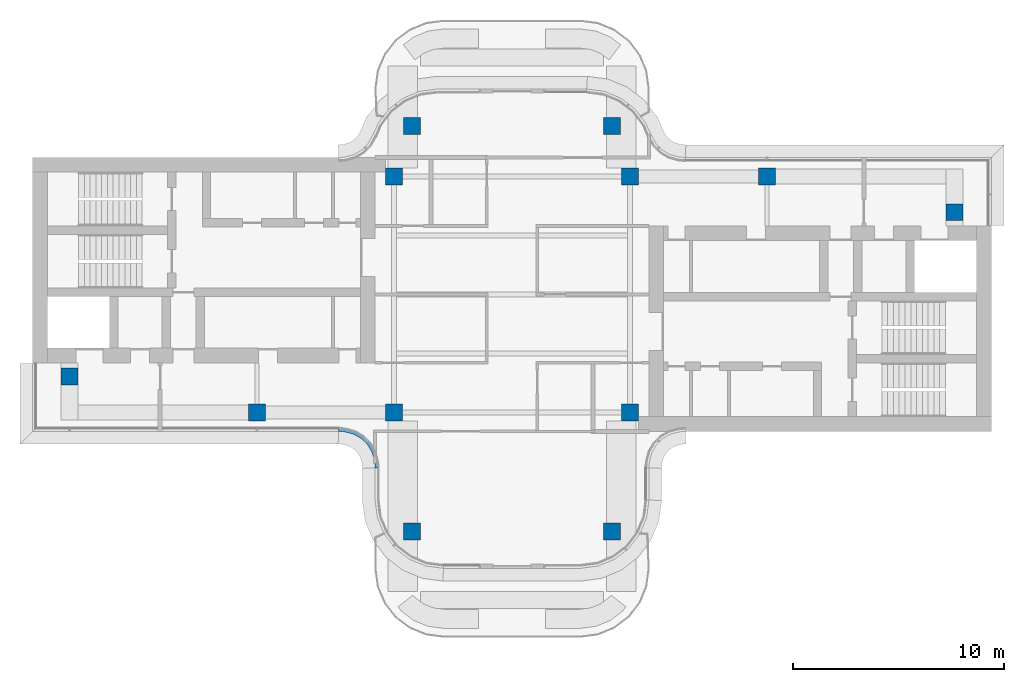
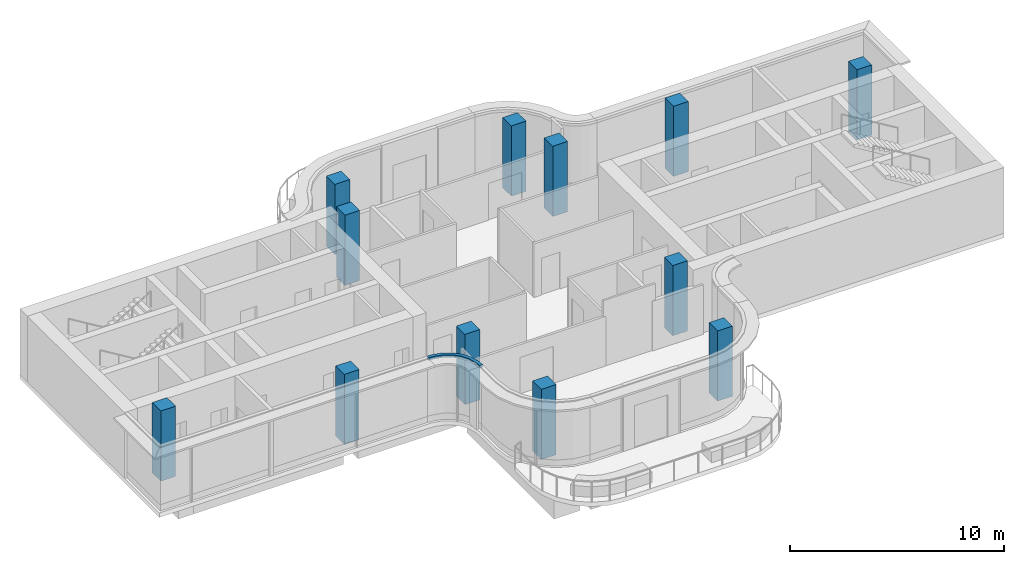
# One storey, part 1 of 9: 12 columns, 1 member, 1 element without a shape of its own.
"""IFC4 building model written with IfcOpenShell, lengths in metres."""

from ifc_helpers import new_model, si_unit, direction, frame, origin, origin_2d, place, context, subcontext, project, spatial, polyline, rectangle, outline, extrude, source, transform, mapped, material, layer, layer_set, material_profile, profile_set, type_object, element, aggregate, save


model = new_model("IFC4")

# Units and contexts
model_context = context("Model", 3, precision=1e-05, world=origin(), true_north=direction((0.0, 1.0)))
body_context = subcontext(model_context, "Body", "Model", "MODEL_VIEW")
ifc_project = project(units=[si_unit("LENGTHUNIT", "METRE"), si_unit("AREAUNIT", "SQUARE_METRE"), si_unit("VOLUMEUNIT", "CUBIC_METRE"), si_unit("PLANEANGLEUNIT", "RADIAN"), si_unit("MASSUNIT", "GRAM", prefix="KILO")], contexts=[model_context])

# Site, building, storey
site_placement = place(None, origin())
site = spatial("IfcSite", under=ifc_project, at=site_placement, CompositionType="ELEMENT")
building_placement = place(site_placement, origin())
building = spatial("IfcBuilding", under=site, at=building_placement, Name="Trellis Farm Tower", CompositionType="ELEMENT")
storey_placement = place(building_placement, frame((0.0, 0.0, 354.10009765625)))
storey = spatial("IfcBuildingStorey", under=building, at=storey_placement, Name="L80", CompositionType="ELEMENT", Elevation=354.10009765625)

# Columns
ifc_material_1 = material(Name="Concrete C50/60", Category="concrete")
ifc_material_profile = material_profile(ifc_material_1, rectangle(XDim=0.800048828125, YDim=0.800048828125, at=origin_2d()), Name="RC column 800x800 C50/60")
ifc_profile_set = profile_set([ifc_material_profile], Name="Concrete C50/60")
column_type = type_object("IfcColumnType", Name="RC column 800x800 C50/60", PredefinedType="COLUMN", material=ifc_profile_set)
shared_shape_1 = source(origin(), body_context, "Body", "SweptSolid", [
    extrude(rectangle(XDim=0.800048828125, YDim=0.800048828125, at=origin_2d()), origin(), (0.0, 0.0, 1.0), 4.0),
])
for number, where, z_axis, x_axis, name in (
    (1, (12.10009765625, 5.60009765625, 0.0), (0.0, 0.0, 1.0), (1.0, 0.0, 0.0), "Column"),
    (2, (21.0, 3.89990234375, 0.0), (0.0, 0.0, 1.0), (1.0, 0.0, 0.0), "Column"),
    (3, (-4.75, 8.0, 0.0), (0.0, 0.0, 1.0), (1.0, 0.0, 0.0), "Column"),
    (4, (4.75, 8.0, 0.0), (0.0, 0.0, 1.0), (1.0, 0.0, 0.0), "Column"),
    (5, (5.60009765625, 5.60009765625, 0.0), (0.0, 0.0, 1.0), (1.0, 0.0, 0.0), "Column"),
    (6, (-5.60009765625, 5.60009765625, 0.0), (0.0, 0.0, 1.0), (1.0, 0.0, 0.0), "Column"),
    (7, (5.60009765625, -5.60009765625, 0.0), (0.0, 0.0, 1.0), (1.0, 0.0, 0.0), "Column"),
    (8, (-5.60009765625, -5.60009765625, 0.0), (0.0, 0.0, 1.0), (1.0, 0.0, 0.0), "Column"),
    (9, (4.75, -11.25, 0.0), (0.0, 0.0, 1.0), (1.0, 0.0, 0.0), "Column"),
    (10, (-4.75, -11.25, 0.0), (0.0, 0.0, 1.0), (1.0, 0.0, 0.0), "Column"),
    (11, (-12.10009765625, -5.60009765625, 0.0), (0.0, 0.0, 1.0), (1.0, 0.0, 0.0), "Column"),
    (12, (-21.0, -3.89990234375, 0.0), (0.0, 0.0, 1.0), (1.0, 0.0, 0.0), "Column"),
):
    element("IfcColumn", number, at=place(storey_placement, frame(where, z_axis=z_axis, x_axis=x_axis)), inside=storey, type_object=column_type, Name=name, PredefinedType="COLUMN", context=body_context, shape_type="MappedRepresentation", body=[
        mapped(shared_shape_1, transform((0.0, 0.0, 0.0))),
    ])

# Curtain wall, member
ifc_material_2 = material(Name="Aluminium and glass curtain wall", Category="aluminium")
ifc_layer_1 = layer(ifc_material_2, 0.176025390625)
ifc_layer_set_1 = layer_set([ifc_layer_1], Name="CROWN LANTERN CURTAIN WALL CW5")
curtain_wall_type = type_object("IfcCurtainWallType", Name="CROWN LANTERN CURTAIN WALL CW5", PredefinedType="NOTDEFINED", material=ifc_layer_set_1)
curtain_wall_placement = place(storey_placement, origin())
curtain_wall = element("IfcCurtainWall", 13, at=curtain_wall_placement, inside=storey, type_object=curtain_wall_type, Name="CW5 013", PredefinedType="NOTDEFINED")
ifc_material_3 = material(Name="Aluminium extrusion 6063-T6", Category="aluminium")
ifc_layer_2 = layer(ifc_material_3, 0.176025390625)
ifc_layer_set_2 = layer_set([ifc_layer_2], Name="Aluminium extrusion 6063-T6")
member_type = type_object("IfcMemberType", Name="CW5 TRANSOM 176x150", PredefinedType="USERDEFINED", material=ifc_layer_set_2)
shared_shape_2 = source(origin(), body_context, "Body", "SweptSolid", [
    extrude(outline(polyline([(-8.2314453125, -6.5), (-8.01953125, -6.513916015625), (-7.91552734375, -6.527587890625), (-7.508544921875, -6.63671875), (-7.144287109375, -6.846923828125), (-6.846923828125, -7.144287109375), (-6.63671875, -7.508544921875), (-6.527587890625, -7.91552734375), (-6.513916015625, -8.01953125), (-6.5, -8.2314453125), (-6.323974609375, -8.2255859375), (-6.338623046875, -8.002197265625), (-6.3544921875, -7.881103515625), (-6.47265625, -7.440673828125), (-6.7060546875, -7.0361328125), (-7.0361328125, -6.7060546875), (-7.440673828125, -6.47265625), (-7.881103515625, -6.3544921875), (-8.002197265625, -6.338623046875), (-8.2255859375, -6.323974609375), (-8.2314453125, -6.5)])), origin(), (0.0, 0.0, 1.0), 0.150146484375),
])
member_placement = place(storey_placement, frame((0.0, 0.0, 3.599853515625)))
member = element("IfcMember", 14, at=member_placement, type_object=member_type, Name="TR5 013", ObjectType="TRANSOM", PredefinedType="USERDEFINED", context=body_context, shape_type="MappedRepresentation", body=[
    mapped(shared_shape_2, transform((0.0, 0.0, 0.0))),
])
aggregate(curtain_wall, [member])

save(model, "model.ifc")
